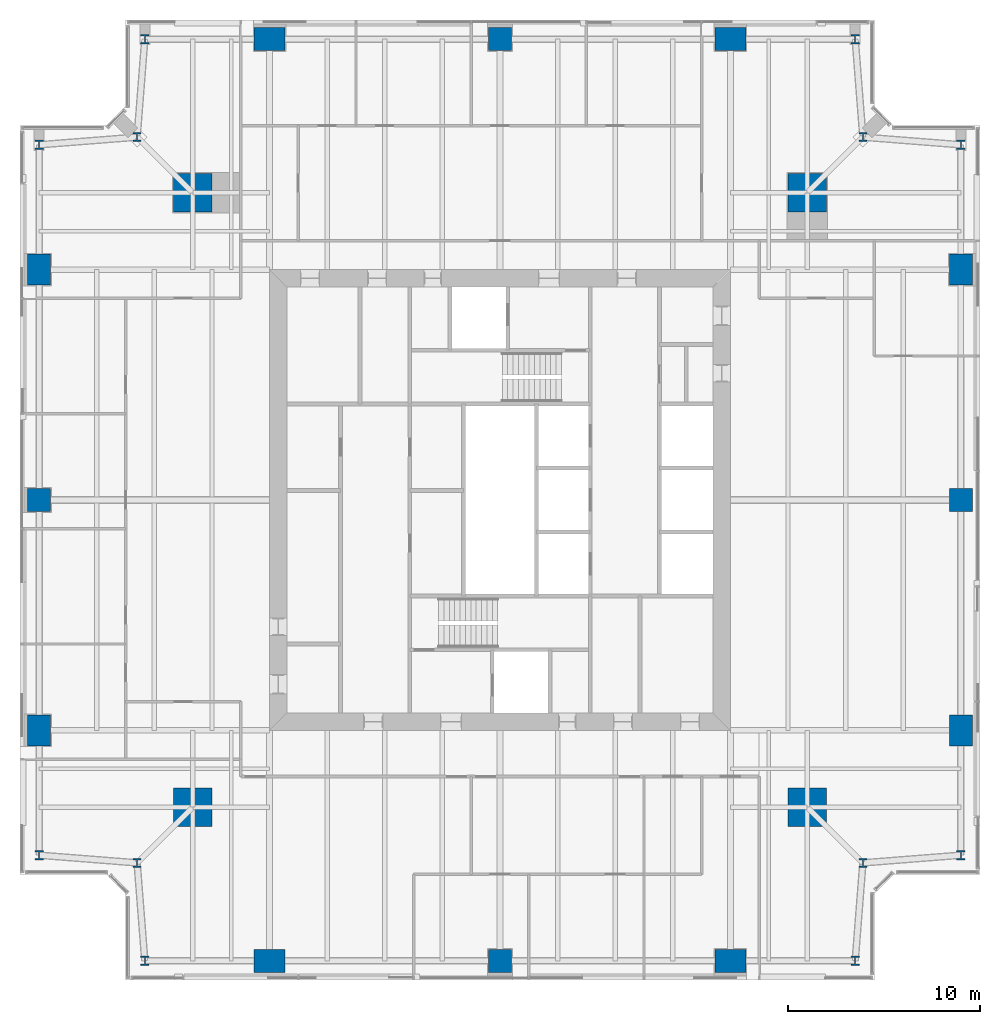
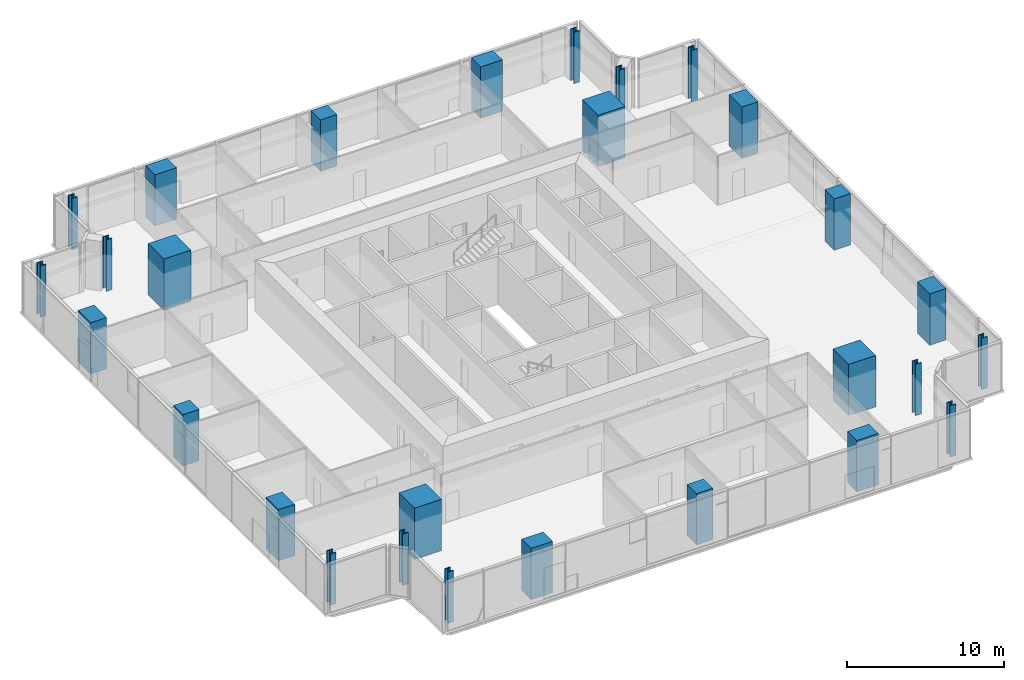
# One storey, part 1 of 14: 28 columns.
"""IFC4 building model written with IfcOpenShell, lengths in metres."""

from ifc_helpers import new_model, si_unit, direction, frame, origin, origin_2d, place, context, subcontext, project, spatial, rectangle, i_section, extrude, material, material_profile, profile_set, type_object, element, save


model = new_model("IFC4")

# Units and contexts
model_context = context("Model", 3, precision=1e-05, world=origin(), true_north=direction((0.0, 1.0)))
body_context = subcontext(model_context, "Body", "Model", "MODEL_VIEW")
ifc_project = project(units=[si_unit("LENGTHUNIT", "METRE"), si_unit("AREAUNIT", "SQUARE_METRE"), si_unit("VOLUMEUNIT", "CUBIC_METRE"), si_unit("PLANEANGLEUNIT", "RADIAN"), si_unit("MASSUNIT", "GRAM", prefix="KILO")], contexts=[model_context])

# Site, building, storey
site_placement = place(None, origin())
site = spatial("IfcSite", under=ifc_project, at=site_placement, CompositionType="ELEMENT")
building_placement = place(site_placement, origin())
building = spatial("IfcBuilding", under=site, at=building_placement, Name="Fenwick Lantern Interchange", CompositionType="ELEMENT")
storey_placement = place(building_placement, frame((0.0, 0.0, 193.800048828125)))
storey = spatial("IfcBuildingStorey", under=building, at=storey_placement, Name="L45", CompositionType="ELEMENT", Elevation=193.800048828125)

# Columns
ifc_material_1 = material(Name="Concrete f'c 70 MPa", Category="concrete")
ifc_material_profile_1 = material_profile(ifc_material_1, rectangle(XDim=2.0, YDim=2.0, at=origin_2d()), Name="RC2000X2000")
ifc_profile_set_1 = profile_set([ifc_material_profile_1], Name="Concrete f'c 70 MPa")
column_type_1 = type_object("IfcColumnType", Name="MEGA COLUMN RC2000X2000", PredefinedType="COLUMN", material=ifc_profile_set_1)
for number, where, z_axis, x_axis, name in (
    (1, (9.0, 9.0, 0.0), (0.0, 0.0, 1.0), (1.0, 0.0, 0.0), "L45/M1"),
    (2, (41.0, 9.0, 0.0), (0.0, 0.0, 1.0), (1.0, 0.0, 0.0), "L45/M2"),
    (3, (41.0, 41.0, 0.0), (0.0, 0.0, 1.0), (1.0, 0.0, 0.0), "L45/M3"),
    (4, (9.0, 41.0, 0.0), (0.0, 0.0, 1.0), (1.0, 0.0, 0.0), "L45/M4"),
):
    element("IfcColumn", number, at=place(storey_placement, frame(where, z_axis=z_axis, x_axis=x_axis)), inside=storey, type_object=column_type_1, Name=name, PredefinedType="COLUMN", context=body_context, shape_type="SweptSolid", body=[
        extrude(rectangle(XDim=2.0, YDim=2.0, at=origin_2d()), origin(), (0.0, 0.0, 1.0), 4.0),
    ])
ifc_material_profile_2 = material_profile(ifc_material_1, rectangle(XDim=1.199951171875, YDim=1.199951171875, at=origin_2d()), Name="RC1200X1200")
ifc_profile_set_2 = profile_set([ifc_material_profile_2], Name="Concrete f'c 70 MPa")
column_type_2 = type_object("IfcColumnType", Name="PERIMETER COLUMN RC1200X1200", PredefinedType="COLUMN", material=ifc_profile_set_2)
for number, where, z_axis, x_axis, name in (
    (5, (25.0, 1.0, 0.0), (0.0, 0.0, 1.0), (1.0, 0.0, 0.0), "L45/CS3"),
    (6, (49.0, 25.0, 0.0), (0.0, 0.0, 1.0), (1.0, 0.0, 0.0), "L45/CE3"),
    (7, (25.0, 49.0, 0.0), (0.0, 0.0, 1.0), (1.0, 0.0, 0.0), "L45/CN3"),
    (8, (1.0, 25.0, 0.0), (0.0, 0.0, 1.0), (1.0, 0.0, 0.0), "L45/CW3"),
):
    element("IfcColumn", number, at=place(storey_placement, frame(where, z_axis=z_axis, x_axis=x_axis)), inside=storey, type_object=column_type_2, Name=name, PredefinedType="COLUMN", context=body_context, shape_type="SweptSolid", body=[
        extrude(rectangle(XDim=1.199951171875, YDim=1.199951171875, at=origin_2d()), origin(), (0.0, 0.0, 1.0), 4.0),
    ])
ifc_material_profile_3 = material_profile(ifc_material_1, rectangle(XDim=1.199951171875, YDim=1.60009765625, at=origin_2d()), Name="RC1200X1600")
ifc_profile_set_3 = profile_set([ifc_material_profile_3], Name="Concrete f'c 70 MPa")
column_type_3 = type_object("IfcColumnType", Name="PERIMETER COLUMN RC1200X1600", PredefinedType="COLUMN", material=ifc_profile_set_3)
for number, where, z_axis, x_axis, name in (
    (9, (49.0, 13.0, 0.0), (0.0, 0.0, 1.0), (1.0, 0.0, 0.0), "L45/CE2"),
    (10, (49.0, 37.0, 0.0), (0.0, 0.0, 1.0), (1.0, 0.0, 0.0), "L45/CE4"),
    (11, (1.0, 37.0, 0.0), (0.0, 0.0, 1.0), (1.0, 0.0, 0.0), "L45/CW2"),
    (12, (1.0, 13.0, 0.0), (0.0, 0.0, 1.0), (1.0, 0.0, 0.0), "L45/CW4"),
):
    element("IfcColumn", number, at=place(storey_placement, frame(where, z_axis=z_axis, x_axis=x_axis)), inside=storey, type_object=column_type_3, Name=name, PredefinedType="COLUMN", context=body_context, shape_type="SweptSolid", body=[
        extrude(rectangle(XDim=1.199951171875, YDim=1.60009765625, at=origin_2d()), origin(), (0.0, 0.0, 1.0), 4.0),
    ])
ifc_material_profile_4 = material_profile(ifc_material_1, rectangle(XDim=1.60009765625, YDim=1.199951171875, at=origin_2d()), Name="RC1600X1200")
ifc_profile_set_4 = profile_set([ifc_material_profile_4], Name="Concrete f'c 70 MPa")
column_type_4 = type_object("IfcColumnType", Name="PERIMETER COLUMN RC1600X1200", PredefinedType="COLUMN", material=ifc_profile_set_4)
for number, where, z_axis, x_axis, name in (
    (13, (13.0, 1.0, 0.0), (0.0, 0.0, 1.0), (1.0, 0.0, 0.0), "L45/CS2"),
    (14, (37.0, 1.0, 0.0), (0.0, 0.0, 1.0), (1.0, 0.0, 0.0), "L45/CS4"),
    (15, (37.0, 49.0, 0.0), (0.0, 0.0, 1.0), (1.0, 0.0, 0.0), "L45/CN2"),
    (16, (13.0, 49.0, 0.0), (0.0, 0.0, 1.0), (1.0, 0.0, 0.0), "L45/CN4"),
):
    element("IfcColumn", number, at=place(storey_placement, frame(where, z_axis=z_axis, x_axis=x_axis)), inside=storey, type_object=column_type_4, Name=name, PredefinedType="COLUMN", context=body_context, shape_type="SweptSolid", body=[
        extrude(rectangle(XDim=1.60009765625, YDim=1.199951171875, at=origin_2d()), origin(), (0.0, 0.0, 1.0), 4.0),
    ])
ifc_material_2 = material(Name="Steel ASTM A992 Grade 50", Category="steel")
ifc_material_profile_5 = material_profile(ifc_material_2, i_section(OverallWidth=0.424072265625, OverallDepth=0.47509765625, WebThickness=0.0478515625, FlangeThickness=0.0771484375, at=origin_2d()), Name="W14X426")
ifc_profile_set_5 = profile_set([ifc_material_profile_5], Name="Steel ASTM A992 Grade 50")
column_type_5 = type_object("IfcColumnType", Name="PERIMETER COLUMN W14X426", PredefinedType="COLUMN", material=ifc_profile_set_5)
for number, where, z_axis, x_axis, name in (
    (17, (6.5, 1.0, 0.0), (0.0, 0.0, 1.0), (1.0, 0.0, 0.0), "L45/CS1"),
    (18, (43.5, 1.0, 0.0), (0.0, 0.0, 1.0), (1.0, 0.0, 0.0), "L45/CS5"),
    (19, (43.89990234375, 6.10009765625, 0.0), (0.0, 0.0, 1.0), (1.0, 0.0, 0.0), "L45/CSR"),
    (20, (49.0, 6.5, 0.0), (0.0, 0.0, 1.0), (1.0, 0.0, 0.0), "L45/CE1"),
    (21, (49.0, 43.5, 0.0), (0.0, 0.0, 1.0), (1.0, 0.0, 0.0), "L45/CE5"),
    (22, (43.89990234375, 43.89990234375, 0.0), (0.0, 0.0, 1.0), (1.0, 0.0, 0.0), "L45/CER"),
    (23, (43.5, 49.0, 0.0), (0.0, 0.0, 1.0), (1.0, 0.0, 0.0), "L45/CN1"),
    (24, (6.5, 49.0, 0.0), (0.0, 0.0, 1.0), (1.0, 0.0, 0.0), "L45/CN5"),
    (25, (6.10009765625, 43.89990234375, 0.0), (0.0, 0.0, 1.0), (1.0, 0.0, 0.0), "L45/CNR"),
    (26, (1.0, 43.5, 0.0), (0.0, 0.0, 1.0), (1.0, 0.0, 0.0), "L45/CW1"),
    (27, (1.0, 6.5, 0.0), (0.0, 0.0, 1.0), (1.0, 0.0, 0.0), "L45/CW5"),
    (28, (6.10009765625, 6.10009765625, 0.0), (0.0, 0.0, 1.0), (1.0, 0.0, 0.0), "L45/CWR"),
):
    element("IfcColumn", number, at=place(storey_placement, frame(where, z_axis=z_axis, x_axis=x_axis)), inside=storey, type_object=column_type_5, Name=name, PredefinedType="COLUMN", context=body_context, shape_type="SweptSolid", body=[
        extrude(i_section(OverallWidth=0.424072265625, OverallDepth=0.47509765625, WebThickness=0.0478515625, FlangeThickness=0.0771484375, at=origin_2d()), origin(), (0.0, 0.0, 1.0), 4.0),
    ])

save(model, "model.ifc")
